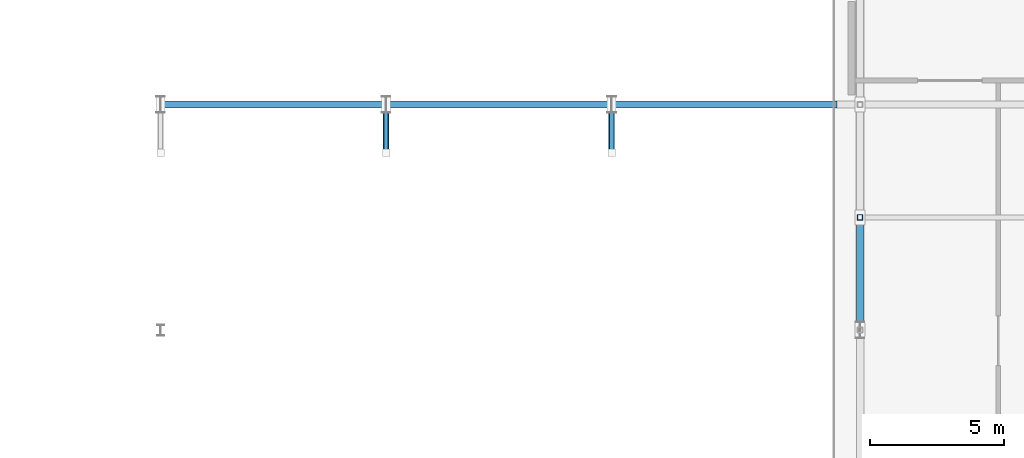
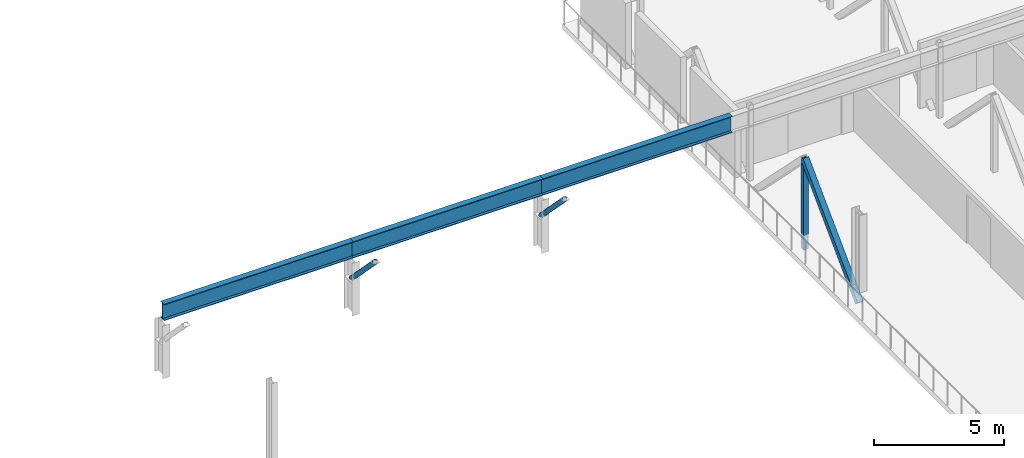
# One storey, part 55 of 107: 4 members, 3 beams.
"""IFC4 building model written with IfcOpenShell, lengths in metres."""

from ifc_helpers import new_model, si_unit, derived_unit, direction, frame, origin, origin_2d, place, context, subcontext, project, spatial, hollow_rectangle, hollow_circle, i_section, extrude, material, material_profile, profile_set, type_object, element, save


model = new_model("IFC4")

# Units and contexts
model_context = context("Model", 3, precision=1e-05, world=origin(), true_north=direction((0.0, 1.0)))
body_context = subcontext(model_context, "Body", "Model", "MODEL_VIEW")
ifc_project = project(units=[si_unit("LENGTHUNIT", "METRE"), si_unit("AREAUNIT", "SQUARE_METRE"), si_unit("VOLUMEUNIT", "CUBIC_METRE"), si_unit("PLANEANGLEUNIT", "RADIAN"), si_unit("MASSUNIT", "GRAM", prefix="KILO"), derived_unit("THERMALTRANSMITTANCEUNIT", [(si_unit("MASSUNIT", "GRAM", prefix="KILO"), 1), (si_unit("TIMEUNIT", "SECOND"), -3), (si_unit("THERMODYNAMICTEMPERATUREUNIT", "KELVIN"), -1)])], contexts=[model_context])

# Site, building, storey
site_placement = place(None, origin())
site = spatial("IfcSite", under=ifc_project, at=site_placement, CompositionType="ELEMENT")
building_placement = place(site_placement, origin())
building = spatial("IfcBuilding", under=site, at=building_placement, Name="Makaiwela Harbour Ferry Terminal", CompositionType="ELEMENT")
storey_placement = place(building_placement, frame((0.0, 0.0, 9.60009765625)))
storey = spatial("IfcBuildingStorey", under=building, at=storey_placement, Name="L02", CompositionType="ELEMENT", Elevation=9.60009765625)

# Member
ifc_material_1 = material(Name="Steel ASTM A500 Grade C", Category="steel")
ifc_material_profile_1 = material_profile(ifc_material_1, hollow_rectangle(XDim=0.25390625, YDim=0.25390625, WallThickness=0.0146484375, at=origin_2d()), Name="HSS10X10X5/8")
ifc_profile_set_1 = profile_set([ifc_material_profile_1], Name="Steel ASTM A500 Grade C")
member_type_1 = type_object("IfcMemberType", Name="STR-BRC-HSS10", PredefinedType="BRACE", material=ifc_profile_set_1)
member_1_placement = place(storey_placement, frame((89.050048828125, 95.0, -0.685546875), z_axis=(0.0, 0.705423542875, 0.708786022124), x_axis=(-1.0, 0.0, 0.0)))
element("IfcMember", 1, at=member_1_placement, inside=storey, type_object=member_type_1, Name="Structural Member BR-01", PredefinedType="BRACE", context=body_context, shape_type="SweptSolid", body=[
    extrude(hollow_rectangle(XDim=0.25390625, YDim=0.25390625, WallThickness=0.0146484375, at=origin_2d()), origin(), (0.0, 0.0, 1.0), 5.953857421875),
])

# Beams
ifc_material_2 = material(Name="Steel ASTM A992 Grade 50", Category="steel")
ifc_material_profile_2 = material_profile(ifc_material_2, i_section(OverallWidth=0.26806640625, OverallDepth=0.77001953125, WebThickness=0.015625, FlangeThickness=0.025390625, at=origin_2d()), Name="W30X132")
ifc_profile_set_2 = profile_set([ifc_material_profile_2], Name="Steel ASTM A992 Grade 50")
beam_type = type_object("IfcBeamType", Name="STR-GRD-W30X132", PredefinedType="USERDEFINED", material=ifc_profile_set_2)
beam_1_placement = place(storey_placement, frame((63.0, 103.39990234375, 2.949951171875), z_axis=(1.0, 0.0, 0.0), x_axis=(0.0, 1.0, 0.0)))
element("IfcBeam", 2, at=beam_1_placement, inside=storey, type_object=beam_type, Name="Vault springing tie girder M-1", ObjectType="GIRDER", PredefinedType="USERDEFINED", context=body_context, shape_type="SweptSolid", body=[
    extrude(i_section(OverallWidth=0.26806640625, OverallDepth=0.77001953125, WebThickness=0.015625, FlangeThickness=0.025390625, at=origin_2d()), origin(), (0.0, 0.0, 1.0), 8.39990234375),
])
beam_2_placement = place(storey_placement, frame((71.39990234375, 103.39990234375, 2.949951171875), z_axis=(1.0, 0.0, 0.0), x_axis=(0.0, 1.0, 0.0)))
element("IfcBeam", 3, at=beam_2_placement, inside=storey, type_object=beam_type, Name="Vault springing tie girder M-2", ObjectType="GIRDER", PredefinedType="USERDEFINED", context=body_context, shape_type="SweptSolid", body=[
    extrude(i_section(OverallWidth=0.26806640625, OverallDepth=0.77001953125, WebThickness=0.015625, FlangeThickness=0.025390625, at=origin_2d()), origin(), (0.0, 0.0, 1.0), 8.400146484375),
])
beam_3_placement = place(storey_placement, frame((79.800048828125, 103.39990234375, 2.949951171875), z_axis=(1.0, 0.0, 0.0), x_axis=(0.0, 1.0, 0.0)))
element("IfcBeam", 4, at=beam_3_placement, inside=storey, type_object=beam_type, Name="Vault springing tie girder M-3", ObjectType="GIRDER", PredefinedType="USERDEFINED", context=body_context, shape_type="SweptSolid", body=[
    extrude(i_section(OverallWidth=0.26806640625, OverallDepth=0.77001953125, WebThickness=0.015625, FlangeThickness=0.025390625, at=origin_2d()), origin(), (0.0, 0.0, 1.0), 8.39990234375),
])

# Members
ifc_material_profile_3 = material_profile(ifc_material_1, hollow_rectangle(XDim=0.202880859375, YDim=0.202880859375, WallThickness=0.01171875, at=origin_2d()), Name="HSS8X8X1/2")
ifc_profile_set_3 = profile_set([ifc_material_profile_3], Name="Steel ASTM A500 Grade C")
member_type_2 = type_object("IfcMemberType", Name="STR-PST-HSS8", PredefinedType="POST", material=ifc_profile_set_3)
member_2_placement = place(storey_placement, frame((89.050048828125, 99.199951171875, -0.685546875), z_axis=(0.0, 0.0, 1.0), x_axis=(1.0, 0.0, 0.0)))
element("IfcMember", 5, at=member_2_placement, inside=storey, type_object=member_type_2, Name="Structural Member PS-01", PredefinedType="POST", context=body_context, shape_type="SweptSolid", body=[
    extrude(hollow_rectangle(XDim=0.202880859375, YDim=0.202880859375, WallThickness=0.01171875, at=origin_2d()), origin(), (0.0, 0.0, 1.0), 4.219970703125),
])
ifc_material_profile_4 = material_profile(ifc_material_1, hollow_circle(Radius=0.109619140625, WallThickness=0.00830078125, at=origin_2d()), Name="PIPE8STD")
ifc_profile_set_4 = profile_set([ifc_material_profile_4], Name="Steel ASTM A500 Grade C")
member_type_3 = type_object("IfcMemberType", Name="STR-STT-PIPE8", PredefinedType="STRUT", material=ifc_profile_set_4)
for number, where, z_axis, x_axis, name in (
    (6, (71.39990234375, 103.39990234375, 1.5498046875), (0.0, -0.697060839799, 0.717011984292), (1.0, 0.0, 0.0), "Structural Member SR-02"),
    (7, (79.800048828125, 103.39990234375, 1.5498046875), (0.0, -0.697060839799, 0.717011984292), (1.0, 0.0, 0.0), "Structural Member SR-02"),
):
    element("IfcMember", number, at=place(storey_placement, frame(where, z_axis=z_axis, x_axis=x_axis)), inside=storey, type_object=member_type_3, Name=name, PredefinedType="STRUT", context=body_context, shape_type="SweptSolid", body=[
        extrude(hollow_circle(Radius=0.109619140625, WallThickness=0.00830078125, at=origin_2d()), origin(), (0.0, 0.0, 1.0), 2.58203125),
    ])

save(model, "model.ifc")
